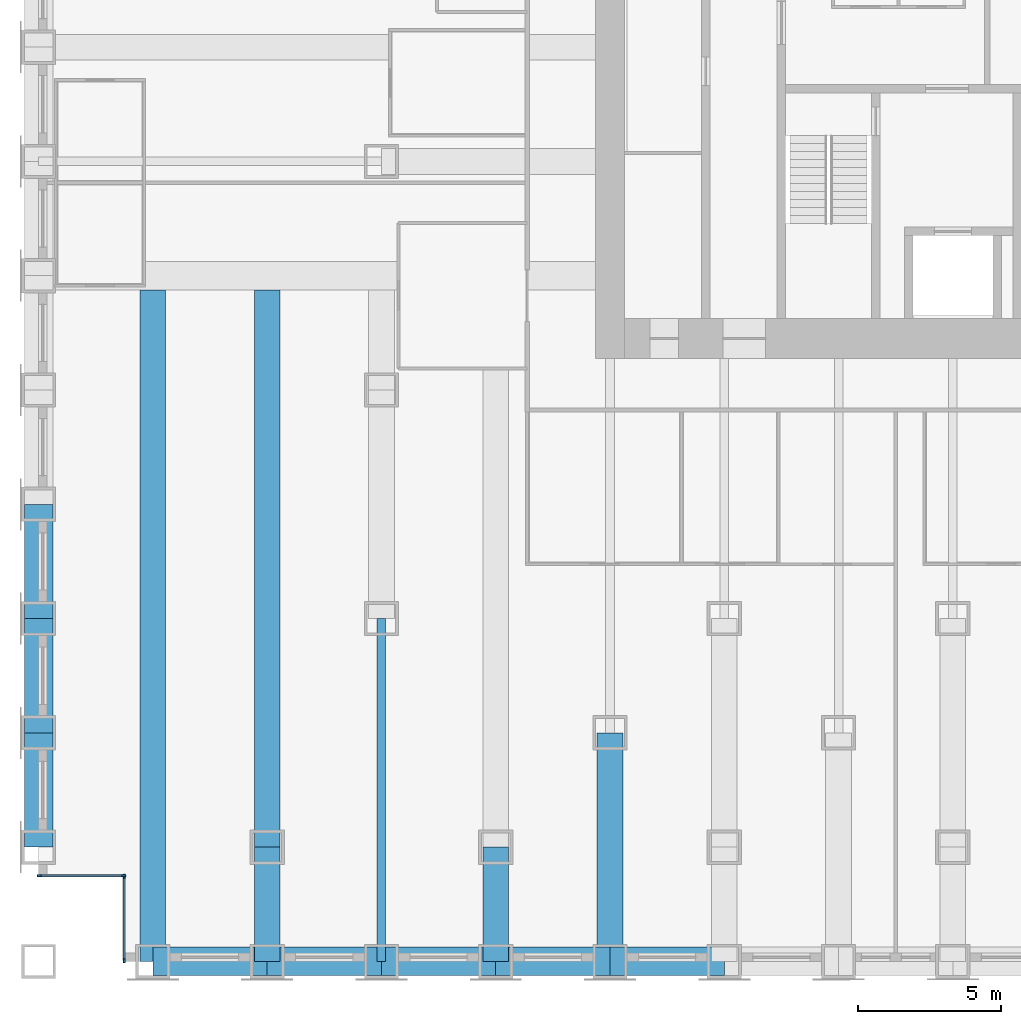
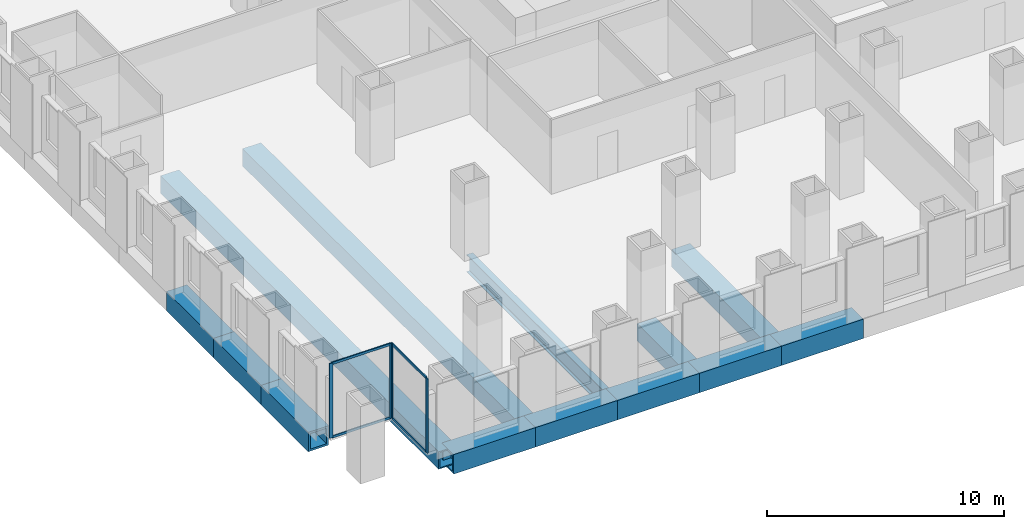
# One storey, part 2 of 15: 14 beams, 8 members, 2 elements without a shape of their own.
"""IFC4 building model written with IfcOpenShell, lengths in metres."""

from ifc_helpers import new_model, si_unit, direction, frame, origin, origin_2d, place, context, subcontext, project, spatial, rectangle, hollow_rectangle, i_section, extrude, material, material_profile, profile_set, type_object, element, aggregate, save


model = new_model("IFC4")

# Units and contexts
model_context = context("Model", 3, precision=1e-05, world=origin(), true_north=direction((0.0, 1.0)))
body_context = subcontext(model_context, "Body", "Model", "MODEL_VIEW")
ifc_project = project(units=[si_unit("LENGTHUNIT", "METRE"), si_unit("AREAUNIT", "SQUARE_METRE"), si_unit("VOLUMEUNIT", "CUBIC_METRE"), si_unit("PLANEANGLEUNIT", "RADIAN"), si_unit("MASSUNIT", "GRAM", prefix="KILO")], contexts=[model_context])

# Site, building, storey
site_placement = place(None, origin())
site = spatial("IfcSite", under=ifc_project, at=site_placement, CompositionType="ELEMENT")
building_placement = place(site_placement, origin())
building = spatial("IfcBuilding", under=site, at=building_placement, Name="Rimbunsela Tower", CompositionType="ELEMENT")
storey_placement = place(building_placement, frame((0.0, 0.0, 35.0)))
storey = spatial("IfcBuildingStorey", under=building, at=storey_placement, Name="L08", CompositionType="ELEMENT", Elevation=35.0)

# Beams
ifc_material_1 = material(Name="Steel BJ 55 (fy 410 MPa)", Category="steel")
ifc_material_profile_1 = material_profile(ifc_material_1, hollow_rectangle(XDim=1.0, YDim=1.0, WallThickness=0.10009765625, at=origin_2d()), Name="BOX 1000x1000x100")
ifc_profile_set_1 = profile_set([ifc_material_profile_1], Name="Steel BJ 55 (fy 410 MPa)")
beam_type_1 = type_object("IfcBeamType", Name="Beam BOX 1000x1000x100", PredefinedType="BEAM", material=ifc_profile_set_1)
for number, where, z_axis, x_axis, name in (
    (1, (-2.0, 0.0, -0.64990234375), (0.0, 1.0, 0.0), (-1.0, 0.0, 0.0), "Beam B3 L08"),
    (2, (-2.0, 4.0, -0.64990234375), (0.0, 1.0, 0.0), (-1.0, 0.0, 0.0), "Beam B3 L08"),
    (3, (-2.0, 8.0, -0.64990234375), (0.0, 1.0, 0.0), (-1.0, 0.0, 0.0), "Beam B3 L08"),
    (4, (2.0, -4.0, -0.64990234375), (1.0, 0.0, 0.0), (0.0, 1.0, 0.0), "Beam B3 L08"),
    (5, (6.0, -4.0, -0.64990234375), (1.0, 0.0, 0.0), (0.0, 1.0, 0.0), "Beam B3 L08"),
    (6, (10.0, -4.0, -0.64990234375), (1.0, 0.0, 0.0), (0.0, 1.0, 0.0), "Beam B3 L08"),
    (7, (14.0, -4.0, -0.64990234375), (1.0, 0.0, 0.0), (0.0, 1.0, 0.0), "Beam B3 L08"),
    (8, (18.0, -4.0, -0.64990234375), (1.0, 0.0, 0.0), (0.0, 1.0, 0.0), "Beam B3 L08"),
):
    element("IfcBeam", number, at=place(storey_placement, frame(where, z_axis=z_axis, x_axis=x_axis)), inside=storey, type_object=beam_type_1, Name=name, PredefinedType="BEAM", context=body_context, shape_type="SweptSolid", body=[
        extrude(hollow_rectangle(XDim=1.0, YDim=1.0, WallThickness=0.10009765625, at=origin_2d()), origin(), (0.0, 0.0, 1.0), 4.0),
    ])
ifc_material_2 = material(Name="Steel BJ 55 (fy 410 MPa)", Category="steel")
ifc_material_profile_2 = material_profile(ifc_material_2, hollow_rectangle(XDim=0.89990234375, YDim=0.89990234375, WallThickness=0.06005859375, at=origin_2d()), Name="BOX 900x900x60")
ifc_profile_set_2 = profile_set([ifc_material_profile_2], Name="Steel BJ 55 (fy 410 MPa)")
beam_type_2 = type_object("IfcBeamType", Name="Beam BOX 900x900x60", PredefinedType="BEAM", material=ifc_profile_set_2)
beam_1_placement = place(storey_placement, frame((2.0, -4.0, -0.60009765625), z_axis=(0.0, 1.0, 0.0), x_axis=(-1.0, 0.0, 0.0)))
element("IfcBeam", 9, at=beam_1_placement, inside=storey, type_object=beam_type_2, Name="Beam B1 L08", PredefinedType="BEAM", context=body_context, shape_type="SweptSolid", body=[
    extrude(hollow_rectangle(XDim=0.89990234375, YDim=0.89990234375, WallThickness=0.06005859375, at=origin_2d()), origin(), (0.0, 0.0, 1.0), 23.5),
])
beam_2_placement = place(storey_placement, frame((6.0, -4.0, -0.60009765625), z_axis=(0.0, 1.0, 0.0), x_axis=(-1.0, 0.0, 0.0)))
element("IfcBeam", 10, at=beam_2_placement, inside=storey, type_object=beam_type_2, Name="Beam B1 L08", PredefinedType="BEAM", context=body_context, shape_type="SweptSolid", body=[
    extrude(hollow_rectangle(XDim=0.89990234375, YDim=0.89990234375, WallThickness=0.06005859375, at=origin_2d()), origin(), (0.0, 0.0, 1.0), 4.0),
])
beam_3_placement = place(storey_placement, frame((6.0, 0.0, -0.60009765625), z_axis=(0.0, 1.0, 0.0), x_axis=(-1.0, 0.0, 0.0)))
element("IfcBeam", 11, at=beam_3_placement, inside=storey, type_object=beam_type_2, Name="Beam B1 L08", PredefinedType="BEAM", context=body_context, shape_type="SweptSolid", body=[
    extrude(hollow_rectangle(XDim=0.89990234375, YDim=0.89990234375, WallThickness=0.06005859375, at=origin_2d()), origin(), (0.0, 0.0, 1.0), 19.5),
])
beam_4_placement = place(storey_placement, frame((14.0, -4.0, -0.60009765625), z_axis=(0.0, 1.0, 0.0), x_axis=(-1.0, 0.0, 0.0)))
element("IfcBeam", 12, at=beam_4_placement, inside=storey, type_object=beam_type_2, Name="Beam B1 L08", PredefinedType="BEAM", context=body_context, shape_type="SweptSolid", body=[
    extrude(hollow_rectangle(XDim=0.89990234375, YDim=0.89990234375, WallThickness=0.06005859375, at=origin_2d()), origin(), (0.0, 0.0, 1.0), 4.0),
])
beam_5_placement = place(storey_placement, frame((18.0, -4.0, -0.60009765625), z_axis=(0.0, 1.0, 0.0), x_axis=(-1.0, 0.0, 0.0)))
element("IfcBeam", 13, at=beam_5_placement, inside=storey, type_object=beam_type_2, Name="Beam B1 L08", PredefinedType="BEAM", context=body_context, shape_type="SweptSolid", body=[
    extrude(hollow_rectangle(XDim=0.89990234375, YDim=0.89990234375, WallThickness=0.06005859375, at=origin_2d()), origin(), (0.0, 0.0, 1.0), 8.0),
])
ifc_material_3 = material(Name="Steel BJ 55 (fy 410 MPa)", Category="steel")
ifc_material_profile_3 = material_profile(ifc_material_3, i_section(OverallWidth=0.300048828125, OverallDepth=0.89990234375, WebThickness=0.01611328125, FlangeThickness=0.028076171875, FilletRadius=0.028076171875, at=origin_2d()), Name="H 900x300x16x28")
ifc_profile_set_3 = profile_set([ifc_material_profile_3], Name="Steel BJ 55 (fy 410 MPa)")
beam_type_3 = type_object("IfcBeamType", Name="Beam H 900x300x16x28", PredefinedType="BEAM", material=ifc_profile_set_3)
beam_6_placement = place(storey_placement, frame((10.0, -4.0, -0.60009765625), z_axis=(0.0, 1.0, 0.0), x_axis=(-1.0, 0.0, 0.0)))
element("IfcBeam", 14, at=beam_6_placement, inside=storey, type_object=beam_type_3, Name="Beam B2 L08", PredefinedType="BEAM", context=body_context, shape_type="SweptSolid", body=[
    extrude(i_section(OverallWidth=0.300048828125, OverallDepth=0.89990234375, WebThickness=0.01611328125, FlangeThickness=0.028076171875, FilletRadius=0.028076171875, at=origin_2d()), origin(), (0.0, 0.0, 1.0), 12.0),
])

# Curtain wall, members
ifc_material_4 = material(Name="Aluminium curtain wall", Category="aluminium")
curtain_wall_type = type_object("IfcCurtainWallType", Name="Corner glazing", PredefinedType="USERDEFINED", material=ifc_material_4)
curtain_wall_1_placement = place(storey_placement, origin())
curtain_wall_1 = element("IfcCurtainWall", 15, at=curtain_wall_1_placement, inside=storey, type_object=curtain_wall_type, Name="Corner glazing L08", ObjectType="CORNER GLAZING", PredefinedType="USERDEFINED")
ifc_material_5 = material(Name="Aluminium mullion", Category="aluminium")
ifc_material_profile_4 = material_profile(ifc_material_5, rectangle(XDim=0.06005859375, YDim=0.159912109375, at=origin_2d()), Name="Mullion 60x160")
ifc_profile_set_4 = profile_set([ifc_material_profile_4], Name="Aluminium mullion")
member_type_1 = type_object("IfcMemberType", Name="Curtain wall mullion 60x160", PredefinedType="MULLION", material=ifc_profile_set_4)
member_1_placement = place(storey_placement, frame((-1.969970703125, -1.0, 0.0), z_axis=(0.0, 0.0, 1.0), x_axis=(0.0, 1.0, 0.0)))
member_1 = element("IfcMember", 16, at=member_1_placement, type_object=member_type_1, Name="CW5 mullion 1", PredefinedType="MULLION", context=body_context, shape_type="SweptSolid", body=[
    extrude(rectangle(XDim=0.06005859375, YDim=0.159912109375, at=origin_2d()), origin(), (0.0, 0.0, 1.0), 3.85009765625),
])
member_2_placement = place(storey_placement, frame((0.969970703125, -1.0, 0.0), z_axis=(0.0, 0.0, 1.0), x_axis=(0.0, 1.0, 0.0)))
member_2 = element("IfcMember", 17, at=member_2_placement, type_object=member_type_1, Name="CW5 mullion 2", PredefinedType="MULLION", context=body_context, shape_type="SweptSolid", body=[
    extrude(rectangle(XDim=0.06005859375, YDim=0.159912109375, at=origin_2d()), origin(), (0.0, 0.0, 1.0), 3.85009765625),
])

curtain_wall_2_placement = place(storey_placement, origin())
curtain_wall_2 = element("IfcCurtainWall", 18, at=curtain_wall_2_placement, inside=storey, type_object=curtain_wall_type, Name="Corner glazing L08", ObjectType="CORNER GLAZING", PredefinedType="USERDEFINED")
member_3_placement = place(storey_placement, frame((1.0, -1.030029296875, 0.0), z_axis=(0.0, 0.0, 1.0), x_axis=(1.0, 0.0, 0.0)))
member_3 = element("IfcMember", 19, at=member_3_placement, type_object=member_type_1, Name="CW5 mullion 1", PredefinedType="MULLION", context=body_context, shape_type="SweptSolid", body=[
    extrude(rectangle(XDim=0.06005859375, YDim=0.159912109375, at=origin_2d()), origin(), (0.0, 0.0, 1.0), 3.85009765625),
])
member_4_placement = place(storey_placement, frame((1.0, -3.969970703125, 0.0), z_axis=(0.0, 0.0, 1.0), x_axis=(1.0, 0.0, 0.0)))
member_4 = element("IfcMember", 20, at=member_4_placement, type_object=member_type_1, Name="CW5 mullion 2", PredefinedType="MULLION", context=body_context, shape_type="SweptSolid", body=[
    extrude(rectangle(XDim=0.06005859375, YDim=0.159912109375, at=origin_2d()), origin(), (0.0, 0.0, 1.0), 3.85009765625),
])

# Member
ifc_material_6 = material(Name="Aluminium transom", Category="aluminium")
ifc_material_profile_5 = material_profile(ifc_material_6, rectangle(XDim=0.06005859375, YDim=0.1201171875, at=origin_2d()), Name="Transom 60x120")
ifc_profile_set_5 = profile_set([ifc_material_profile_5], Name="Aluminium transom")
member_type_2 = type_object("IfcMemberType", Name="Curtain wall transom 60x120", PredefinedType="USERDEFINED", material=ifc_profile_set_5)
member_5_placement = place(storey_placement, frame((-1.93994140625, -1.0, 0.030029296875), z_axis=(1.0, 0.0, 0.0), x_axis=(0.0, 1.0, 0.0)))
member_5 = element("IfcMember", 21, at=member_5_placement, type_object=member_type_2, Name="CW5 transom 1.1", ObjectType="TRANSOM", PredefinedType="USERDEFINED", context=body_context, shape_type="SweptSolid", body=[
    extrude(rectangle(XDim=0.06005859375, YDim=0.1201171875, at=origin_2d()), origin(), (0.0, 0.0, 1.0), 2.8798828125),
])

member_6_placement = place(storey_placement, frame((-1.93994140625, -1.0, 3.820068359375), z_axis=(1.0, 0.0, 0.0), x_axis=(0.0, 1.0, 0.0)))
member_6 = element("IfcMember", 22, at=member_6_placement, type_object=member_type_2, Name="CW5 transom 1.2", ObjectType="TRANSOM", PredefinedType="USERDEFINED", context=body_context, shape_type="SweptSolid", body=[
    extrude(rectangle(XDim=0.06005859375, YDim=0.1201171875, at=origin_2d()), origin(), (0.0, 0.0, 1.0), 2.8798828125),
])

aggregate(curtain_wall_1, [member_1, member_2, member_5, member_6])

member_7_placement = place(storey_placement, frame((1.0, -1.06005859375, 0.030029296875), z_axis=(0.0, -1.0, 0.0), x_axis=(1.0, 0.0, 0.0)))
member_7 = element("IfcMember", 23, at=member_7_placement, type_object=member_type_2, Name="CW5 transom 1.1", ObjectType="TRANSOM", PredefinedType="USERDEFINED", context=body_context, shape_type="SweptSolid", body=[
    extrude(rectangle(XDim=0.06005859375, YDim=0.1201171875, at=origin_2d()), origin(), (0.0, 0.0, 1.0), 2.8798828125),
])

member_8_placement = place(storey_placement, frame((1.0, -1.06005859375, 3.820068359375), z_axis=(0.0, -1.0, 0.0), x_axis=(1.0, 0.0, 0.0)))
member_8 = element("IfcMember", 24, at=member_8_placement, type_object=member_type_2, Name="CW5 transom 1.2", ObjectType="TRANSOM", PredefinedType="USERDEFINED", context=body_context, shape_type="SweptSolid", body=[
    extrude(rectangle(XDim=0.06005859375, YDim=0.1201171875, at=origin_2d()), origin(), (0.0, 0.0, 1.0), 2.8798828125),
])

aggregate(curtain_wall_2, [member_3, member_4, member_7, member_8])

save(model, "model.ifc")
